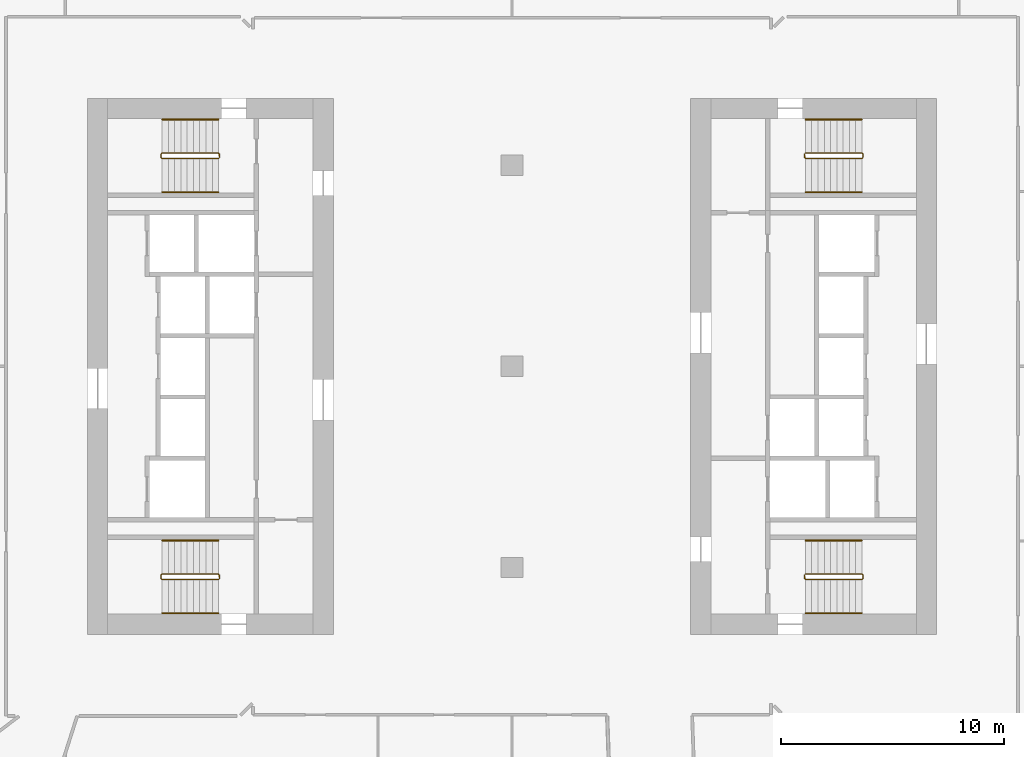
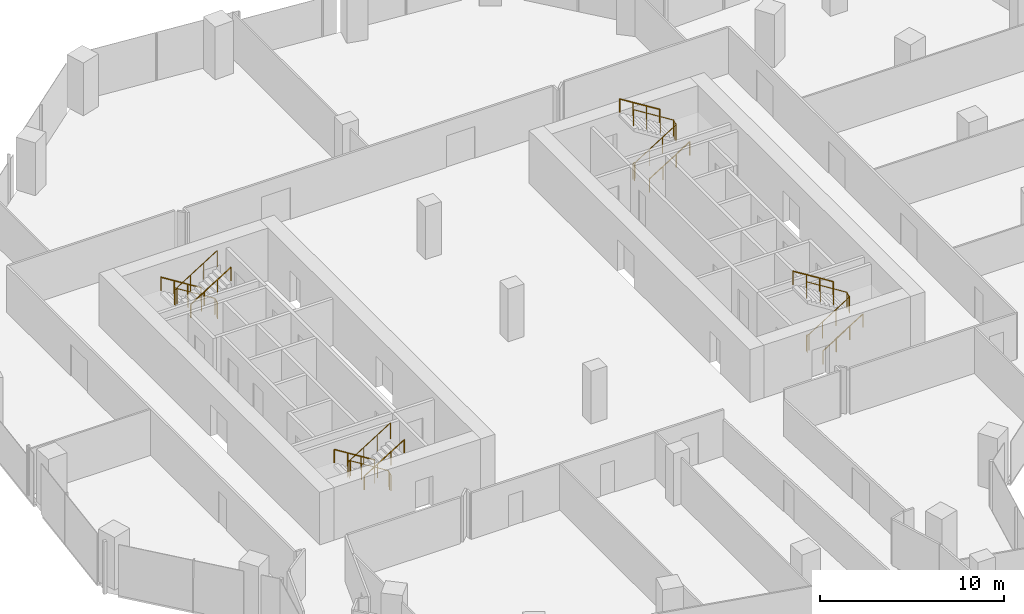
# One storey, part 23 of 23: 12 railings.
"""IFC4 building model written with IfcOpenShell, lengths in metres."""

from ifc_helpers import new_model, si_unit, direction, frame, origin, origin_2d, place, context, subcontext, project, spatial, circle, extrude, material, type_object, element, save


model = new_model("IFC4")

# Units and contexts
model_context = context("Model", 3, precision=1e-05, world=origin(), true_north=direction((0.0, 1.0)))
body_context = subcontext(model_context, "Body", "Model", "MODEL_VIEW")
ifc_project = project(units=[si_unit("LENGTHUNIT", "METRE"), si_unit("AREAUNIT", "SQUARE_METRE"), si_unit("VOLUMEUNIT", "CUBIC_METRE"), si_unit("PLANEANGLEUNIT", "RADIAN"), si_unit("MASSUNIT", "GRAM", prefix="KILO")], contexts=[model_context])

# Site, building, storey
site_placement = place(None, origin())
site = spatial("IfcSite", under=ifc_project, at=site_placement, CompositionType="ELEMENT")
building_placement = place(site_placement, origin())
building = spatial("IfcBuilding", under=site, at=building_placement, Name="Orlundy Tower", CompositionType="ELEMENT")
storey_placement = place(building_placement, frame((0.0, 0.0, 181.10009765625)))
storey = spatial("IfcBuildingStorey", under=building, at=storey_placement, Name="L47", CompositionType="ELEMENT", Elevation=181.10009765625)

# Railings
ifc_material_1 = material(Name="Steel balustrade", Category="steel")
railing_type_1 = type_object("IfcRailingType", Name="Stair Guard 1100", PredefinedType="GUARDRAIL", material=ifc_material_1)
railing_1_placement = place(storey_placement, frame((-13.090087890625, 9.5, 0.0)))
element("IfcRailing", 1, at=railing_1_placement, inside=storey, type_object=railing_type_1, Name="L47 ST-W1 stair guard 1", PredefinedType="GUARDRAIL", context=body_context, shape_type="SweptSolid", body=[
    extrude(circle(Radius=0.02392578125, at=origin_2d()), frame((0.0, 0.0, 1.076171875), z_axis=(0.0, -1.0, 0.0), x_axis=(1.0, 0.0, 0.0)), (0.0, 0.0, 1.0), 0.14990234375),
    extrude(circle(Radius=0.02392578125, at=origin_2d()), frame((0.0, -0.14990234375, 1.076171875), z_axis=(-0.184313129624, 0.739963005698, 0.646902945152), x_axis=(-0.970351222016, -0.241699205484, 0.0)), (0.0, 0.0, 1.0), 0.270263671875),
    extrude(circle(Radius=0.02392578125, at=origin_2d()), frame((-0.0498046875, 0.050048828125, 1.2509765625), z_axis=(-0.847970611238, 0.0, 0.530043245855), x_axis=(0.0, -1.0, 0.0)), (0.0, 0.0, 1.0), 2.971923828125),
    extrude(circle(Radius=0.02392578125, at=origin_2d()), frame((-2.56982421875, 0.050048828125, 2.826171875), z_axis=(-0.707106781187, -0.707106781187, 0.0), x_axis=(0.707106781187, -0.707106781187, 0.0)), (0.0, 0.0, 1.0), 0.07080078125),
    extrude(circle(Radius=0.02392578125, at=origin_2d()), frame((-2.619873046875, 0.0, 2.826171875), z_axis=(0.0, -1.0, 0.0), x_axis=(1.0, 0.0, 0.0)), (0.0, 0.0, 1.0), 0.14990234375),
    extrude(circle(Radius=0.02392578125, at=origin_2d()), frame((-2.619873046875, -0.14990234375, 2.826171875), z_axis=(0.265383341853, -0.265383341853, 0.926899867156), x_axis=(0.707106781187, 0.707106781187, 0.0)), (0.0, 0.0, 1.0), 0.1884765625),
    extrude(circle(Radius=0.02392578125, at=origin_2d()), frame((-2.56982421875, -0.199951171875, 3.0009765625), z_axis=(0.847970611238, 0.0, 0.530043245855), x_axis=(0.0, 1.0, 0.0)), (0.0, 0.0, 1.0), 2.971923828125),
    extrude(circle(Radius=0.02099609375, at=origin_2d()), origin(), (0.0, 0.0, 1.0), 1.052001953125),
    extrude(circle(Radius=0.02099609375, at=origin_2d()), frame((0.0, -0.14990234375, 0.0)), (0.0, 0.0, 1.0), 1.052001953125),
    extrude(circle(Radius=0.02099609375, at=origin_2d()), frame((-0.0498046875, 0.050048828125, 0.1748046875)), (0.0, 0.0, 1.0), 1.052001953125),
    extrude(circle(Radius=0.02099609375, at=origin_2d()), frame((-0.889892578125, 0.050048828125, 0.699951171875)), (0.0, 0.0, 1.0), 1.052001953125),
    extrude(circle(Radius=0.02099609375, at=origin_2d()), frame((-1.729736328125, 0.050048828125, 1.224853515625)), (0.0, 0.0, 1.0), 1.052001953125),
    extrude(circle(Radius=0.02099609375, at=origin_2d()), frame((-2.56982421875, 0.050048828125, 1.75)), (0.0, 0.0, 1.0), 1.052001953125),
    extrude(circle(Radius=0.02099609375, at=origin_2d()), frame((-2.619873046875, 0.0, 1.75)), (0.0, 0.0, 1.0), 1.052001953125),
    extrude(circle(Radius=0.02099609375, at=origin_2d()), frame((-2.619873046875, -0.14990234375, 1.75)), (0.0, 0.0, 1.0), 1.052001953125),
    extrude(circle(Radius=0.02099609375, at=origin_2d()), frame((-2.56982421875, -0.199951171875, 1.9248046875)), (0.0, 0.0, 1.0), 1.052001953125),
    extrude(circle(Radius=0.02099609375, at=origin_2d()), frame((-1.729736328125, -0.199951171875, 2.449951171875)), (0.0, 0.0, 1.0), 1.052001953125),
    extrude(circle(Radius=0.02099609375, at=origin_2d()), frame((-0.889892578125, -0.199951171875, 2.974853515625)), (0.0, 0.0, 1.0), 1.052001953125),
    extrude(circle(Radius=0.02099609375, at=origin_2d()), frame((-0.0498046875, -0.199951171875, 3.5)), (0.0, 0.0, 1.0), 1.052001953125),
])
railing_2_placement = place(storey_placement, frame((-13.090087890625, -9.35009765625, 0.0)))
element("IfcRailing", 2, at=railing_2_placement, inside=storey, type_object=railing_type_1, Name="L47 ST-W2 stair guard 1", PredefinedType="GUARDRAIL", context=body_context, shape_type="SweptSolid", body=[
    extrude(circle(Radius=0.02392578125, at=origin_2d()), frame((0.0, 0.0, 1.076171875), z_axis=(0.0, -1.0, 0.0), x_axis=(1.0, 0.0, 0.0)), (0.0, 0.0, 1.0), 0.14990234375),
    extrude(circle(Radius=0.02392578125, at=origin_2d()), frame((0.0, -0.14990234375, 1.076171875), z_axis=(-0.184313129624, 0.739963005698, 0.646902945152), x_axis=(-0.970351222016, -0.241699205484, 0.0)), (0.0, 0.0, 1.0), 0.270263671875),
    extrude(circle(Radius=0.02392578125, at=origin_2d()), frame((-0.0498046875, 0.050048828125, 1.2509765625), z_axis=(-0.847970611238, 0.0, 0.530043245855), x_axis=(0.0, -1.0, 0.0)), (0.0, 0.0, 1.0), 2.971923828125),
    extrude(circle(Radius=0.02392578125, at=origin_2d()), frame((-2.56982421875, 0.050048828125, 2.826171875), z_axis=(-0.707106781187, -0.707106781187, 0.0), x_axis=(0.707106781187, -0.707106781187, 0.0)), (0.0, 0.0, 1.0), 0.07080078125),
    extrude(circle(Radius=0.02392578125, at=origin_2d()), frame((-2.619873046875, 0.0, 2.826171875), z_axis=(0.0, -1.0, 0.0), x_axis=(1.0, 0.0, 0.0)), (0.0, 0.0, 1.0), 0.14990234375),
    extrude(circle(Radius=0.02392578125, at=origin_2d()), frame((-2.619873046875, -0.14990234375, 2.826171875), z_axis=(0.265383341853, -0.265383341853, 0.926899867156), x_axis=(0.707106781187, 0.707106781187, 0.0)), (0.0, 0.0, 1.0), 0.1884765625),
    extrude(circle(Radius=0.02392578125, at=origin_2d()), frame((-2.56982421875, -0.199951171875, 3.0009765625), z_axis=(0.847970611238, 0.0, 0.530043245855), x_axis=(0.0, 1.0, 0.0)), (0.0, 0.0, 1.0), 2.971923828125),
    extrude(circle(Radius=0.02099609375, at=origin_2d()), origin(), (0.0, 0.0, 1.0), 1.052001953125),
    extrude(circle(Radius=0.02099609375, at=origin_2d()), frame((0.0, -0.14990234375, 0.0)), (0.0, 0.0, 1.0), 1.052001953125),
    extrude(circle(Radius=0.02099609375, at=origin_2d()), frame((-0.0498046875, 0.050048828125, 0.1748046875)), (0.0, 0.0, 1.0), 1.052001953125),
    extrude(circle(Radius=0.02099609375, at=origin_2d()), frame((-0.889892578125, 0.050048828125, 0.699951171875)), (0.0, 0.0, 1.0), 1.052001953125),
    extrude(circle(Radius=0.02099609375, at=origin_2d()), frame((-1.729736328125, 0.050048828125, 1.224853515625)), (0.0, 0.0, 1.0), 1.052001953125),
    extrude(circle(Radius=0.02099609375, at=origin_2d()), frame((-2.56982421875, 0.050048828125, 1.75)), (0.0, 0.0, 1.0), 1.052001953125),
    extrude(circle(Radius=0.02099609375, at=origin_2d()), frame((-2.619873046875, 0.0, 1.75)), (0.0, 0.0, 1.0), 1.052001953125),
    extrude(circle(Radius=0.02099609375, at=origin_2d()), frame((-2.619873046875, -0.14990234375, 1.75)), (0.0, 0.0, 1.0), 1.052001953125),
    extrude(circle(Radius=0.02099609375, at=origin_2d()), frame((-2.56982421875, -0.199951171875, 1.9248046875)), (0.0, 0.0, 1.0), 1.052001953125),
    extrude(circle(Radius=0.02099609375, at=origin_2d()), frame((-1.729736328125, -0.199951171875, 2.449951171875)), (0.0, 0.0, 1.0), 1.052001953125),
    extrude(circle(Radius=0.02099609375, at=origin_2d()), frame((-0.889892578125, -0.199951171875, 2.974853515625)), (0.0, 0.0, 1.0), 1.052001953125),
    extrude(circle(Radius=0.02099609375, at=origin_2d()), frame((-0.0498046875, -0.199951171875, 3.5)), (0.0, 0.0, 1.0), 1.052001953125),
])
railing_3_placement = place(storey_placement, frame((13.090087890625, -9.5, 0.0)))
element("IfcRailing", 3, at=railing_3_placement, inside=storey, type_object=railing_type_1, Name="L47 ST-E1 stair guard 1", PredefinedType="GUARDRAIL", context=body_context, shape_type="SweptSolid", body=[
    extrude(circle(Radius=0.02392578125, at=origin_2d()), frame((0.0, 0.0, 1.076171875), z_axis=(0.0, 1.0, 0.0), x_axis=(-1.0, 0.0, 0.0)), (0.0, 0.0, 1.0), 0.14990234375),
    extrude(circle(Radius=0.02392578125, at=origin_2d()), frame((0.0, 0.14990234375, 1.076171875), z_axis=(0.184313129624, -0.739963005698, 0.646902945152), x_axis=(0.970351222016, 0.241699205484, 0.0)), (0.0, 0.0, 1.0), 0.270263671875),
    extrude(circle(Radius=0.02392578125, at=origin_2d()), frame((0.0498046875, -0.050048828125, 1.2509765625), z_axis=(0.847970611238, 0.0, 0.530043245855), x_axis=(0.0, 1.0, 0.0)), (0.0, 0.0, 1.0), 2.971923828125),
    extrude(circle(Radius=0.02392578125, at=origin_2d()), frame((2.56982421875, -0.050048828125, 2.826171875), z_axis=(0.707106781187, 0.707106781187, 0.0), x_axis=(-0.707106781187, 0.707106781187, 0.0)), (0.0, 0.0, 1.0), 0.07080078125),
    extrude(circle(Radius=0.02392578125, at=origin_2d()), frame((2.619873046875, 0.0, 2.826171875), z_axis=(0.0, 1.0, 0.0), x_axis=(-1.0, 0.0, 0.0)), (0.0, 0.0, 1.0), 0.14990234375),
    extrude(circle(Radius=0.02392578125, at=origin_2d()), frame((2.619873046875, 0.14990234375, 2.826171875), z_axis=(-0.265383341853, 0.265383341853, 0.926899867156), x_axis=(-0.707106781187, -0.707106781187, 0.0)), (0.0, 0.0, 1.0), 0.1884765625),
    extrude(circle(Radius=0.02392578125, at=origin_2d()), frame((2.56982421875, 0.199951171875, 3.0009765625), z_axis=(-0.847970611238, 0.0, 0.530043245855), x_axis=(0.0, -1.0, 0.0)), (0.0, 0.0, 1.0), 2.971923828125),
    extrude(circle(Radius=0.02099609375, at=origin_2d()), origin(), (0.0, 0.0, 1.0), 1.052001953125),
    extrude(circle(Radius=0.02099609375, at=origin_2d()), frame((0.0, 0.14990234375, 0.0)), (0.0, 0.0, 1.0), 1.052001953125),
    extrude(circle(Radius=0.02099609375, at=origin_2d()), frame((0.0498046875, -0.050048828125, 0.1748046875)), (0.0, 0.0, 1.0), 1.052001953125),
    extrude(circle(Radius=0.02099609375, at=origin_2d()), frame((0.889892578125, -0.050048828125, 0.699951171875)), (0.0, 0.0, 1.0), 1.052001953125),
    extrude(circle(Radius=0.02099609375, at=origin_2d()), frame((1.729736328125, -0.050048828125, 1.224853515625)), (0.0, 0.0, 1.0), 1.052001953125),
    extrude(circle(Radius=0.02099609375, at=origin_2d()), frame((2.56982421875, -0.050048828125, 1.75)), (0.0, 0.0, 1.0), 1.052001953125),
    extrude(circle(Radius=0.02099609375, at=origin_2d()), frame((2.619873046875, 0.0, 1.75)), (0.0, 0.0, 1.0), 1.052001953125),
    extrude(circle(Radius=0.02099609375, at=origin_2d()), frame((2.619873046875, 0.14990234375, 1.75)), (0.0, 0.0, 1.0), 1.052001953125),
    extrude(circle(Radius=0.02099609375, at=origin_2d()), frame((2.56982421875, 0.199951171875, 1.9248046875)), (0.0, 0.0, 1.0), 1.052001953125),
    extrude(circle(Radius=0.02099609375, at=origin_2d()), frame((1.729736328125, 0.199951171875, 2.449951171875)), (0.0, 0.0, 1.0), 1.052001953125),
    extrude(circle(Radius=0.02099609375, at=origin_2d()), frame((0.889892578125, 0.199951171875, 2.974853515625)), (0.0, 0.0, 1.0), 1.052001953125),
    extrude(circle(Radius=0.02099609375, at=origin_2d()), frame((0.0498046875, 0.199951171875, 3.5)), (0.0, 0.0, 1.0), 1.052001953125),
])
railing_4_placement = place(storey_placement, frame((13.090087890625, 9.35009765625, 0.0)))
element("IfcRailing", 4, at=railing_4_placement, inside=storey, type_object=railing_type_1, Name="L47 ST-E2 stair guard 1", PredefinedType="GUARDRAIL", context=body_context, shape_type="SweptSolid", body=[
    extrude(circle(Radius=0.02392578125, at=origin_2d()), frame((0.0, 0.0, 1.076171875), z_axis=(0.0, 1.0, 0.0), x_axis=(-1.0, 0.0, 0.0)), (0.0, 0.0, 1.0), 0.14990234375),
    extrude(circle(Radius=0.02392578125, at=origin_2d()), frame((0.0, 0.14990234375, 1.076171875), z_axis=(0.184313129624, -0.739963005698, 0.646902945152), x_axis=(0.970351222016, 0.241699205484, 0.0)), (0.0, 0.0, 1.0), 0.270263671875),
    extrude(circle(Radius=0.02392578125, at=origin_2d()), frame((0.0498046875, -0.050048828125, 1.2509765625), z_axis=(0.847970611238, 0.0, 0.530043245855), x_axis=(0.0, 1.0, 0.0)), (0.0, 0.0, 1.0), 2.971923828125),
    extrude(circle(Radius=0.02392578125, at=origin_2d()), frame((2.56982421875, -0.050048828125, 2.826171875), z_axis=(0.707106781187, 0.707106781187, 0.0), x_axis=(-0.707106781187, 0.707106781187, 0.0)), (0.0, 0.0, 1.0), 0.07080078125),
    extrude(circle(Radius=0.02392578125, at=origin_2d()), frame((2.619873046875, 0.0, 2.826171875), z_axis=(0.0, 1.0, 0.0), x_axis=(-1.0, 0.0, 0.0)), (0.0, 0.0, 1.0), 0.14990234375),
    extrude(circle(Radius=0.02392578125, at=origin_2d()), frame((2.619873046875, 0.14990234375, 2.826171875), z_axis=(-0.265383341853, 0.265383341853, 0.926899867156), x_axis=(-0.707106781187, -0.707106781187, 0.0)), (0.0, 0.0, 1.0), 0.1884765625),
    extrude(circle(Radius=0.02392578125, at=origin_2d()), frame((2.56982421875, 0.199951171875, 3.0009765625), z_axis=(-0.847970611238, 0.0, 0.530043245855), x_axis=(0.0, -1.0, 0.0)), (0.0, 0.0, 1.0), 2.971923828125),
    extrude(circle(Radius=0.02099609375, at=origin_2d()), origin(), (0.0, 0.0, 1.0), 1.052001953125),
    extrude(circle(Radius=0.02099609375, at=origin_2d()), frame((0.0, 0.14990234375, 0.0)), (0.0, 0.0, 1.0), 1.052001953125),
    extrude(circle(Radius=0.02099609375, at=origin_2d()), frame((0.0498046875, -0.050048828125, 0.1748046875)), (0.0, 0.0, 1.0), 1.052001953125),
    extrude(circle(Radius=0.02099609375, at=origin_2d()), frame((0.889892578125, -0.050048828125, 0.699951171875)), (0.0, 0.0, 1.0), 1.052001953125),
    extrude(circle(Radius=0.02099609375, at=origin_2d()), frame((1.729736328125, -0.050048828125, 1.224853515625)), (0.0, 0.0, 1.0), 1.052001953125),
    extrude(circle(Radius=0.02099609375, at=origin_2d()), frame((2.56982421875, -0.050048828125, 1.75)), (0.0, 0.0, 1.0), 1.052001953125),
    extrude(circle(Radius=0.02099609375, at=origin_2d()), frame((2.619873046875, 0.0, 1.75)), (0.0, 0.0, 1.0), 1.052001953125),
    extrude(circle(Radius=0.02099609375, at=origin_2d()), frame((2.619873046875, 0.14990234375, 1.75)), (0.0, 0.0, 1.0), 1.052001953125),
    extrude(circle(Radius=0.02099609375, at=origin_2d()), frame((2.56982421875, 0.199951171875, 1.9248046875)), (0.0, 0.0, 1.0), 1.052001953125),
    extrude(circle(Radius=0.02099609375, at=origin_2d()), frame((1.729736328125, 0.199951171875, 2.449951171875)), (0.0, 0.0, 1.0), 1.052001953125),
    extrude(circle(Radius=0.02099609375, at=origin_2d()), frame((0.889892578125, 0.199951171875, 2.974853515625)), (0.0, 0.0, 1.0), 1.052001953125),
    extrude(circle(Radius=0.02099609375, at=origin_2d()), frame((0.0498046875, 0.199951171875, 3.5)), (0.0, 0.0, 1.0), 1.052001953125),
])
ifc_material_2 = material(Name="Steel handrail", Category="steel")
railing_type_2 = type_object("IfcRailingType", Name="Stair Handrail 900", PredefinedType="HANDRAIL", material=ifc_material_2)
railing_5_placement = place(storey_placement, frame((-13.139892578125, 11.050048828125, 0.1748046875)))
element("IfcRailing", 5, at=railing_5_placement, inside=storey, type_object=railing_type_2, Name="L47 ST-W1 stair handrail 1", PredefinedType="HANDRAIL", context=body_context, shape_type="SweptSolid", body=[
    extrude(circle(Radius=0.02392578125, at=origin_2d()), frame((0.0, 0.0, 0.8759765625), z_axis=(-0.847970611238, 0.0, 0.530043245855), x_axis=(0.0, -1.0, 0.0)), (0.0, 0.0, 1.0), 2.971923828125),
    extrude(circle(Radius=0.02099609375, at=origin_2d()), origin(), (0.0, 0.0, 1.0), 0.851806640625),
    extrude(circle(Radius=0.02099609375, at=origin_2d()), frame((-0.840087890625, 0.0, 0.525146484375)), (0.0, 0.0, 1.0), 0.851806640625),
    extrude(circle(Radius=0.02099609375, at=origin_2d()), frame((-1.679931640625, 0.0, 1.050048828125)), (0.0, 0.0, 1.0), 0.851806640625),
    extrude(circle(Radius=0.02099609375, at=origin_2d()), frame((-2.52001953125, 0.0, 1.5751953125)), (0.0, 0.0, 1.0), 0.851806640625),
])
railing_6_placement = place(storey_placement, frame((-15.659912109375, 7.800048828125, 1.9248046875)))
element("IfcRailing", 6, at=railing_6_placement, inside=storey, type_object=railing_type_2, Name="L47 ST-W1 stair handrail 2", PredefinedType="HANDRAIL", context=body_context, shape_type="SweptSolid", body=[
    extrude(circle(Radius=0.02392578125, at=origin_2d()), frame((0.0, 0.0, 0.8759765625), z_axis=(0.847970611238, 0.0, 0.530043245855), x_axis=(0.0, 1.0, 0.0)), (0.0, 0.0, 1.0), 2.971923828125),
    extrude(circle(Radius=0.02099609375, at=origin_2d()), origin(), (0.0, 0.0, 1.0), 0.851806640625),
    extrude(circle(Radius=0.02099609375, at=origin_2d()), frame((0.840087890625, 0.0, 0.525146484375)), (0.0, 0.0, 1.0), 0.851806640625),
    extrude(circle(Radius=0.02099609375, at=origin_2d()), frame((1.679931640625, 0.0, 1.050048828125)), (0.0, 0.0, 1.0), 0.851806640625),
    extrude(circle(Radius=0.02099609375, at=origin_2d()), frame((2.52001953125, 0.0, 1.5751953125)), (0.0, 0.0, 1.0), 0.851806640625),
])
railing_7_placement = place(storey_placement, frame((-13.139892578125, -7.800048828125, 0.1748046875)))
element("IfcRailing", 7, at=railing_7_placement, inside=storey, type_object=railing_type_2, Name="L47 ST-W2 stair handrail 1", PredefinedType="HANDRAIL", context=body_context, shape_type="SweptSolid", body=[
    extrude(circle(Radius=0.02392578125, at=origin_2d()), frame((0.0, 0.0, 0.8759765625), z_axis=(-0.847970611238, 0.0, 0.530043245855), x_axis=(0.0, -1.0, 0.0)), (0.0, 0.0, 1.0), 2.971923828125),
    extrude(circle(Radius=0.02099609375, at=origin_2d()), origin(), (0.0, 0.0, 1.0), 0.851806640625),
    extrude(circle(Radius=0.02099609375, at=origin_2d()), frame((-0.840087890625, 0.0, 0.525146484375)), (0.0, 0.0, 1.0), 0.851806640625),
    extrude(circle(Radius=0.02099609375, at=origin_2d()), frame((-1.679931640625, 0.0, 1.050048828125)), (0.0, 0.0, 1.0), 0.851806640625),
    extrude(circle(Radius=0.02099609375, at=origin_2d()), frame((-2.52001953125, 0.0, 1.5751953125)), (0.0, 0.0, 1.0), 0.851806640625),
])
for number, where, name in (
    (8, (-15.659912109375, -11.050048828125, 1.9248046875), "L47 ST-W2 stair handrail 2"),
    (9, (13.139892578125, -11.050048828125, 0.1748046875), "L47 ST-E1 stair handrail 1"),
):
    element("IfcRailing", number, at=place(storey_placement, frame(where)), inside=storey, type_object=railing_type_2, Name=name, PredefinedType="HANDRAIL", context=body_context, shape_type="SweptSolid", body=[
        extrude(circle(Radius=0.02392578125, at=origin_2d()), frame((0.0, 0.0, 0.8759765625), z_axis=(0.847970611238, 0.0, 0.530043245855), x_axis=(0.0, 1.0, 0.0)), (0.0, 0.0, 1.0), 2.971923828125),
        extrude(circle(Radius=0.02099609375, at=origin_2d()), origin(), (0.0, 0.0, 1.0), 0.851806640625),
        extrude(circle(Radius=0.02099609375, at=origin_2d()), frame((0.840087890625, 0.0, 0.525146484375)), (0.0, 0.0, 1.0), 0.851806640625),
        extrude(circle(Radius=0.02099609375, at=origin_2d()), frame((1.679931640625, 0.0, 1.050048828125)), (0.0, 0.0, 1.0), 0.851806640625),
        extrude(circle(Radius=0.02099609375, at=origin_2d()), frame((2.52001953125, 0.0, 1.5751953125)), (0.0, 0.0, 1.0), 0.851806640625),
    ])
railing_8_placement = place(storey_placement, frame((15.659912109375, -7.800048828125, 1.9248046875)))
element("IfcRailing", 10, at=railing_8_placement, inside=storey, type_object=railing_type_2, Name="L47 ST-E1 stair handrail 2", PredefinedType="HANDRAIL", context=body_context, shape_type="SweptSolid", body=[
    extrude(circle(Radius=0.02392578125, at=origin_2d()), frame((0.0, 0.0, 0.8759765625), z_axis=(-0.847970611238, 0.0, 0.530043245855), x_axis=(0.0, -1.0, 0.0)), (0.0, 0.0, 1.0), 2.971923828125),
    extrude(circle(Radius=0.02099609375, at=origin_2d()), origin(), (0.0, 0.0, 1.0), 0.851806640625),
    extrude(circle(Radius=0.02099609375, at=origin_2d()), frame((-0.840087890625, 0.0, 0.525146484375)), (0.0, 0.0, 1.0), 0.851806640625),
    extrude(circle(Radius=0.02099609375, at=origin_2d()), frame((-1.679931640625, 0.0, 1.050048828125)), (0.0, 0.0, 1.0), 0.851806640625),
    extrude(circle(Radius=0.02099609375, at=origin_2d()), frame((-2.52001953125, 0.0, 1.5751953125)), (0.0, 0.0, 1.0), 0.851806640625),
])
railing_9_placement = place(storey_placement, frame((13.139892578125, 7.800048828125, 0.1748046875)))
element("IfcRailing", 11, at=railing_9_placement, inside=storey, type_object=railing_type_2, Name="L47 ST-E2 stair handrail 1", PredefinedType="HANDRAIL", context=body_context, shape_type="SweptSolid", body=[
    extrude(circle(Radius=0.02392578125, at=origin_2d()), frame((0.0, 0.0, 0.8759765625), z_axis=(0.847970611238, 0.0, 0.530043245855), x_axis=(0.0, 1.0, 0.0)), (0.0, 0.0, 1.0), 2.971923828125),
    extrude(circle(Radius=0.02099609375, at=origin_2d()), origin(), (0.0, 0.0, 1.0), 0.851806640625),
    extrude(circle(Radius=0.02099609375, at=origin_2d()), frame((0.840087890625, 0.0, 0.525146484375)), (0.0, 0.0, 1.0), 0.851806640625),
    extrude(circle(Radius=0.02099609375, at=origin_2d()), frame((1.679931640625, 0.0, 1.050048828125)), (0.0, 0.0, 1.0), 0.851806640625),
    extrude(circle(Radius=0.02099609375, at=origin_2d()), frame((2.52001953125, 0.0, 1.5751953125)), (0.0, 0.0, 1.0), 0.851806640625),
])
railing_10_placement = place(storey_placement, frame((15.659912109375, 11.050048828125, 1.9248046875)))
element("IfcRailing", 12, at=railing_10_placement, inside=storey, type_object=railing_type_2, Name="L47 ST-E2 stair handrail 2", PredefinedType="HANDRAIL", context=body_context, shape_type="SweptSolid", body=[
    extrude(circle(Radius=0.02392578125, at=origin_2d()), frame((0.0, 0.0, 0.8759765625), z_axis=(-0.847970611238, 0.0, 0.530043245855), x_axis=(0.0, -1.0, 0.0)), (0.0, 0.0, 1.0), 2.971923828125),
    extrude(circle(Radius=0.02099609375, at=origin_2d()), origin(), (0.0, 0.0, 1.0), 0.851806640625),
    extrude(circle(Radius=0.02099609375, at=origin_2d()), frame((-0.840087890625, 0.0, 0.525146484375)), (0.0, 0.0, 1.0), 0.851806640625),
    extrude(circle(Radius=0.02099609375, at=origin_2d()), frame((-1.679931640625, 0.0, 1.050048828125)), (0.0, 0.0, 1.0), 0.851806640625),
    extrude(circle(Radius=0.02099609375, at=origin_2d()), frame((-2.52001953125, 0.0, 1.5751953125)), (0.0, 0.0, 1.0), 0.851806640625),
])

save(model, "model.ifc")
